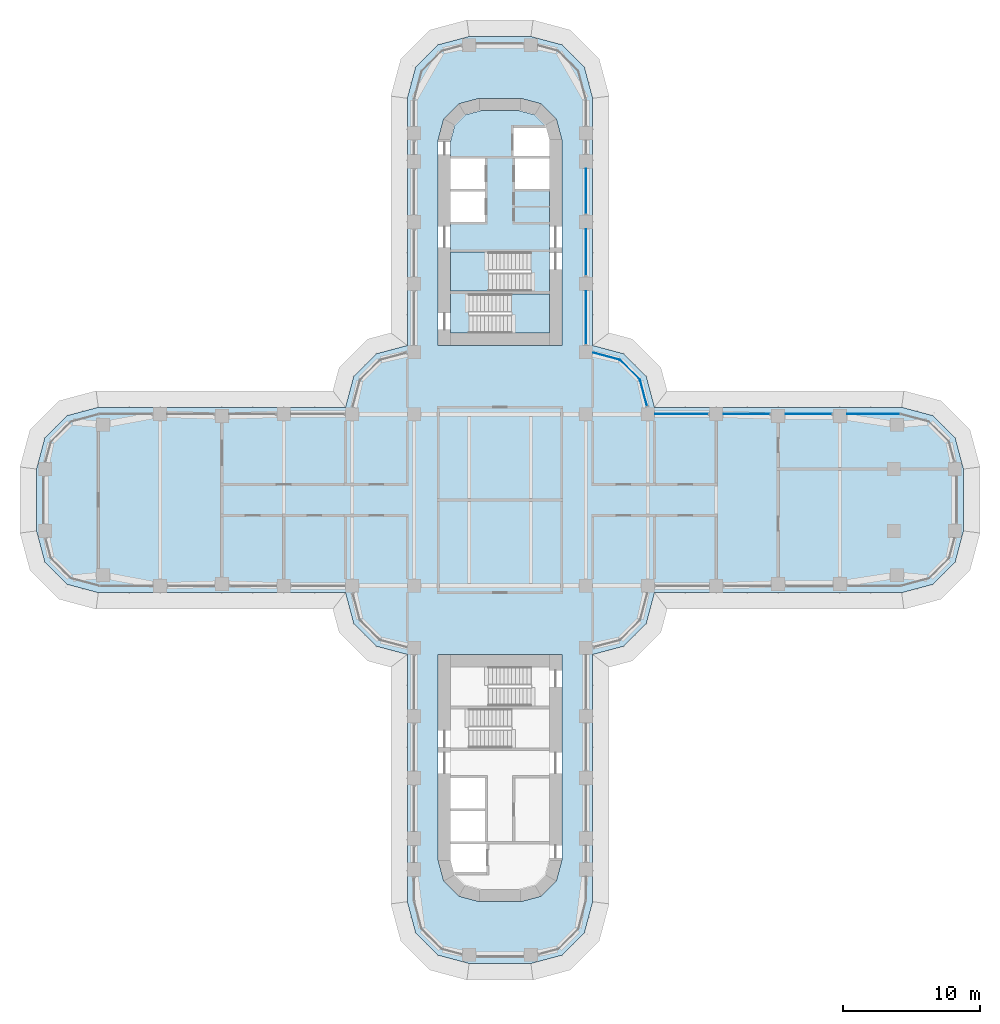
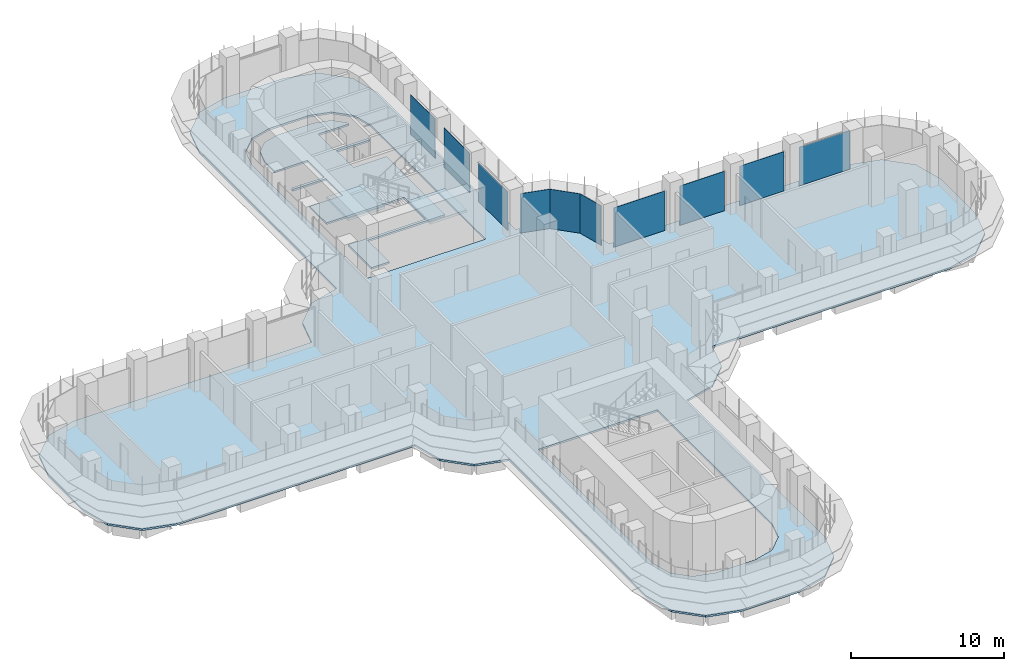
# One storey, part 15 of 23: 10 plates, 4 slabs, 7 elements without a shape of their own.
"""IFC4 building model written with IfcOpenShell, lengths in metres."""

from ifc_helpers import new_model, si_unit, direction, frame, origin, place, context, subcontext, project, spatial, polyline, outline, extrude, source, transform, mapped, material, layer, layer_set, type_object, element, aggregate, save


model = new_model("IFC4")

# Units and contexts
model_context = context("Model", 3, precision=1e-05, world=origin(), true_north=direction((0.0, 1.0)))
body_context = subcontext(model_context, "Body", "Model", "MODEL_VIEW")
ifc_project = project(units=[si_unit("LENGTHUNIT", "METRE"), si_unit("AREAUNIT", "SQUARE_METRE"), si_unit("VOLUMEUNIT", "CUBIC_METRE"), si_unit("PLANEANGLEUNIT", "RADIAN"), si_unit("MASSUNIT", "GRAM", prefix="KILO")], contexts=[model_context])

# Site, building, storey
site_placement = place(None, origin())
site = spatial("IfcSite", under=ifc_project, at=site_placement, CompositionType="ELEMENT")
building_placement = place(site_placement, origin())
building = spatial("IfcBuilding", under=site, at=building_placement, Name="Zarbagh Exchange Tower", CompositionType="ELEMENT")
storey_placement = place(building_placement, frame((0.0, 0.0, 48.0)))
storey = spatial("IfcBuildingStorey", under=building, at=storey_placement, Name="L10", CompositionType="ELEMENT", Elevation=48.0)

# Slabs
ifc_material_1 = material(Name="Concrete C40/50", Category="concrete")
ifc_layer_1 = layer(ifc_material_1, 0.14990234375)
ifc_layer_set_1 = layer_set([ifc_layer_1], Name="Composite floor slab 150 C40/50")
slab_type_1 = type_object("IfcSlabType", Name="Composite floor slab 150 C40/50", PredefinedType="FLOOR", material=ifc_layer_set_1)
slab_1_placement = place(storey_placement, frame((0.0, 0.0, -0.14990234375)))
element("IfcSlab", 1, at=slab_1_placement, inside=storey, type_object=slab_type_1, Name="S5 composite floor slab", PredefinedType="FLOOR", context=body_context, shape_type="SweptSolid", body=[
    extrude(outline(polyline([(-2.25, -33.75), (-4.5, -33.147216796875), (-6.147216796875, -31.5), (-6.75, -29.25), (-6.75, -11.25), (-9.0, -10.647216796875), (-10.647216796875, -9.0), (-11.25, -6.75), (-29.25, -6.75), (-31.5, -6.147216796875), (-33.147216796875, -4.5), (-33.75, -2.25), (-33.75, 2.25), (-33.147216796875, 4.5), (-31.5, 6.147216796875), (-29.25, 6.75), (-11.25, 6.75), (-10.647216796875, 9.0), (-9.0, 10.647216796875), (-6.75, 11.25), (-6.75, 29.25), (-6.147216796875, 31.5), (-4.5, 33.147216796875), (-2.25, 33.75), (2.25, 33.75), (4.5, 33.147216796875), (6.147216796875, 31.5), (6.75, 29.25), (6.75, 11.25), (9.0, 10.647216796875), (10.647216796875, 9.0), (11.25, 6.75), (29.25, 6.75), (31.5, 6.147216796875), (33.147216796875, 4.5), (33.75, 2.25), (33.75, -2.25), (33.147216796875, -4.5), (31.5, -6.147216796875), (29.25, -6.75), (11.25, -6.75), (10.647216796875, -9.0), (9.0, -10.647216796875), (6.75, -11.25), (6.75, -29.25), (6.147216796875, -31.5), (4.5, -33.147216796875), (2.25, -33.75), (-2.25, -33.75)]), holes=[polyline([(4.5, 11.25), (4.5, 26.25), (4.09814453125, 27.75), (3.0, 28.84814453125), (1.5, 29.25), (-1.5, 29.25), (-3.0, 28.84814453125), (-4.09814453125, 27.75), (-4.5, 26.25), (-4.5, 11.25), (4.5, 11.25)]), polyline([(-1.5, -29.25), (1.5, -29.25), (3.0, -28.84814453125), (4.09814453125, -27.75), (4.5, -26.25), (4.5, -11.25), (-4.5, -11.25), (-4.5, -26.25), (-4.09814453125, -27.75), (-3.0, -28.84814453125), (-1.5, -29.25)])]), origin(), (0.0, 0.0, 1.0), 0.14990234375),
])
ifc_layer_2 = layer(ifc_material_1, 0.14990234375)
ifc_layer_set_2 = layer_set([ifc_layer_2], Name="Core floor slab 150 C40/50")
slab_type_2 = type_object("IfcSlabType", Name="Core floor slab 150 C40/50", PredefinedType="FLOOR", material=ifc_layer_set_2)
slab_2_placement = place(storey_placement, frame((0.0, 0.0, -0.14990234375)))
element("IfcSlab", 2, at=slab_2_placement, inside=storey, type_object=slab_type_2, Name="S17 core N", PredefinedType="FLOOR", context=body_context, shape_type="SweptSolid", body=[
    extrude(outline(polyline([(-3.60009765625, 12.14990234375), (-3.60009765625, 15.199951171875), (2.25, 15.199951171875), (2.25, 18.050048828125), (-3.60009765625, 18.050048828125), (-3.60009765625, 20.25), (-1.10009765625, 20.25), (-1.10009765625, 22.449951171875), (-3.60009765625, 22.449951171875), (-3.60009765625, 22.64990234375), (-1.10009765625, 22.64990234375), (-1.10009765625, 24.85009765625), (-3.60009765625, 24.85009765625), (-3.60009765625, 26.131591796875), (-3.291259765625, 27.2841796875), (-2.5341796875, 28.041259765625), (-1.381591796875, 28.35009765625), (1.381591796875, 28.35009765625), (2.5341796875, 28.041259765625), (3.291259765625, 27.2841796875), (3.340576171875, 27.10009765625), (1.0, 27.10009765625), (1.0, 25.050048828125), (3.60009765625, 25.050048828125), (3.60009765625, 24.85009765625), (1.10009765625, 24.85009765625), (1.10009765625, 22.64990234375), (3.60009765625, 22.64990234375), (3.60009765625, 15.0), (-2.25, 15.0), (-2.25, 12.14990234375), (-3.60009765625, 12.14990234375)])), origin(), (0.0, 0.0, 1.0), 0.14990234375),
])

# Stair, slab
stair_type = type_object("IfcStairType", Name="Exit stair two-flight half-turn", PredefinedType="HALF_TURN_STAIR", material=ifc_material_1)
stair_1_placement = place(storey_placement, origin())
stair_1 = element("IfcStair", 3, at=stair_1_placement, inside=storey, type_object=stair_type, Name="exit stair ST1", PredefinedType="HALF_TURN_STAIR")
ifc_layer_3 = layer(ifc_material_1, 0.199951171875)
ifc_layer_set_3 = layer_set([ifc_layer_3], Name="Stair landing 200 mm")
slab_type_3 = type_object("IfcSlabType", Name="Stair landing 200 mm", PredefinedType="LANDING", material=ifc_layer_set_3)
slab_3_placement = place(storey_placement, frame((0.0, 0.0, 1.89990234375)))
slab_3 = element("IfcSlab", 4, at=slab_3_placement, type_object=slab_type_3, Name="ST1 landing 1", PredefinedType="LANDING", context=body_context, shape_type="SweptSolid", body=[
    extrude(outline(polyline([(-0.830078125, 18.050048828125), (-3.60009765625, 18.050048828125), (-3.60009765625, 15.199951171875), (-0.830078125, 15.199951171875), (-0.830078125, 18.050048828125)])), origin(), (0.0, 0.0, 1.0), 0.2001953125),
])
aggregate(stair_1, [slab_3])

stair_2_placement = place(storey_placement, origin())
stair_2 = element("IfcStair", 5, at=stair_2_placement, inside=storey, type_object=stair_type, Name="exit stair ST2", PredefinedType="HALF_TURN_STAIR")
slab_4_placement = place(storey_placement, frame((0.0, 0.0, 1.89990234375)))
slab_4 = element("IfcSlab", 6, at=slab_4_placement, type_object=slab_type_3, Name="ST2 landing 1", PredefinedType="LANDING", context=body_context, shape_type="SweptSolid", body=[
    extrude(outline(polyline([(0.830078125, 12.14990234375), (3.60009765625, 12.14990234375), (3.60009765625, 15.0), (0.830078125, 15.0), (0.830078125, 12.14990234375)])), origin(), (0.0, 0.0, 1.0), 0.2001953125),
])
aggregate(stair_2, [slab_4])

# Curtain wall, plate
ifc_material_2 = material(Name="Anodised aluminium frame and glazing", Category="aluminium")
curtain_wall_type = type_object("IfcCurtainWallType", Name="CWA Ribbon glazing, lower zones", PredefinedType="NOTDEFINED", material=ifc_material_2)
curtain_wall_1_placement = place(storey_placement, origin())
curtain_wall_1 = element("IfcCurtainWall", 7, at=curtain_wall_1_placement, inside=storey, type_object=curtain_wall_type, Name="CWA18 curtain wall", PredefinedType="NOTDEFINED")
ifc_material_3 = material(Name="Low-e double glazed unit, 6+12+6 mm")
ifc_layer_4 = layer(ifc_material_3, 0.028076171875)
ifc_layer_set_4 = layer_set([ifc_layer_4], Name="PAA Glazing panel, Low-e double glazed unit, 6+12+6 mm")
plate_type = type_object("IfcPlateType", Name="PAA Glazing panel, Low-e double glazed unit, 6+12+6 mm", PredefinedType="CURTAIN_PANEL", material=ifc_layer_set_4)
shared_shape_1 = source(origin(), body_context, "Body", "SweptSolid", [
    extrude(outline(polyline([(0.0, -0.013916015625), (2.061279296875, -0.013916015625), (2.061279296875, 0.013916015625), (0.0, 0.013916015625), (0.0, -0.013916015625)])), origin(), (0.0, 0.0, 1.0), 3.14990234375),
])
placement = place(storey_placement, origin())
plate_1 = element("IfcPlate", 8, at=placement, type_object=plate_type, Name="CWA18 glazing panel 1.1", PredefinedType="CURTAIN_PANEL", context=body_context, shape_type="MappedRepresentation", body=[
    mapped(shared_shape_1, transform((10.19873046875, 8.7412109375, 0.0), x_axis=(-0.707106781187, 0.707106781187, 0.0), y_axis=(-0.707106781187, -0.707106781187, 0.0), z_axis=(0.0, 0.0, 1.0))),
])
aggregate(curtain_wall_1, [plate_1])

curtain_wall_2_placement = place(storey_placement, origin())
curtain_wall_2 = element("IfcCurtainWall", 9, at=curtain_wall_2_placement, inside=storey, type_object=curtain_wall_type, Name="CWA20 curtain wall", PredefinedType="NOTDEFINED")
shared_shape_2 = source(origin(), body_context, "Body", "SweptSolid", [
    extrude(outline(polyline([(0.0, -0.013916015625), (3.260009765625, -0.013916015625), (3.260009765625, 0.013916015625), (0.0, 0.013916015625), (0.0, -0.013916015625)])), origin(), (0.0, 0.0, 1.0), 3.14990234375),
])
plate_2 = element("IfcPlate", 10, at=placement, type_object=plate_type, Name="CWA20 glazing panel 3.1", PredefinedType="CURTAIN_PANEL", context=body_context, shape_type="MappedRepresentation", body=[
    mapped(shared_shape_2, transform((6.25, 20.85009765625, 0.0), x_axis=(0.0, 1.0, 0.0), y_axis=(-1.0, 0.0, 0.0), z_axis=(0.0, 0.0, 1.0))),
])

# Curtain wall, plates
curtain_wall_3_placement = place(storey_placement, origin())
curtain_wall_3 = element("IfcCurtainWall", 11, at=curtain_wall_3_placement, inside=storey, type_object=curtain_wall_type, Name="CWA16 curtain wall", PredefinedType="NOTDEFINED")
shared_shape_3 = source(origin(), body_context, "Body", "SweptSolid", [
    extrude(outline(polyline([(0.0, -0.013916015625), (3.360107421875, -0.013916015625), (3.360107421875, 0.013916015625), (0.0, 0.013916015625), (0.0, -0.013916015625)])), origin(), (0.0, 0.0, 1.0), 3.14990234375),
])
plate_3 = element("IfcPlate", 12, at=placement, type_object=plate_type, Name="CWA16 glazing panel 2.1", PredefinedType="CURTAIN_PANEL", context=body_context, shape_type="MappedRepresentation", body=[
    mapped(shared_shape_3, transform((24.14990234375, 6.25, 0.0), x_axis=(-1.0, 0.0, 0.0), y_axis=(0.0, -1.0, 0.0), z_axis=(0.0, 0.0, 1.0))),
])
plate_4 = element("IfcPlate", 13, at=placement, type_object=plate_type, Name="CWA16 glazing panel 3.1", PredefinedType="CURTAIN_PANEL", context=body_context, shape_type="MappedRepresentation", body=[
    mapped(shared_shape_3, transform((19.64990234375, 6.25, 0.0), x_axis=(-1.0, 0.0, 0.0), y_axis=(0.0, -1.0, 0.0), z_axis=(0.0, 0.0, 1.0))),
])

# Plate
plate_5 = element("IfcPlate", 14, at=placement, type_object=plate_type, Name="CWA20 glazing panel 2.1", PredefinedType="CURTAIN_PANEL", context=body_context, shape_type="MappedRepresentation", body=[
    mapped(shared_shape_3, transform((6.25, 16.35009765625, 0.0), x_axis=(0.0, 1.0, 0.0), y_axis=(-1.0, 0.0, 0.0), z_axis=(0.0, 0.0, 1.0))),
])

# Curtain wall, plate
curtain_wall_4_placement = place(storey_placement, origin())
curtain_wall_4 = element("IfcCurtainWall", 15, at=curtain_wall_4_placement, inside=storey, type_object=curtain_wall_type, Name="CWA17 curtain wall", PredefinedType="NOTDEFINED")
shared_shape_4 = source(origin(), body_context, "Body", "SweptSolid", [
    extrude(outline(polyline([(0.0, -0.013916015625), (1.9599609375, -0.013916015625), (1.9599609375, 0.013916015625), (0.0, 0.013916015625), (0.0, -0.013916015625)])), origin(), (0.0, 0.0, 1.0), 3.14990234375),
])
plate_6 = element("IfcPlate", 16, at=placement, type_object=plate_type, Name="CWA17 glazing panel 1.1", PredefinedType="CURTAIN_PANEL", context=body_context, shape_type="MappedRepresentation", body=[
    mapped(shared_shape_4, transform((10.7060546875, 6.847900390625, 0.0), x_axis=(-0.258824779902, 0.965924289636, 0.0), y_axis=(-0.965924289636, -0.258824779902, 0.0), z_axis=(0.0, 0.0, 1.0))),
])
aggregate(curtain_wall_4, [plate_6])

curtain_wall_5_placement = place(storey_placement, origin())
curtain_wall_5 = element("IfcCurtainWall", 17, at=curtain_wall_5_placement, inside=storey, type_object=curtain_wall_type, Name="CWA19 curtain wall", PredefinedType="NOTDEFINED")
shared_shape_5 = source(origin(), body_context, "Body", "SweptSolid", [
    extrude(outline(polyline([(0.0, -0.013916015625), (2.02001953125, -0.013916015625), (2.02001953125, 0.013916015625), (0.0, 0.013916015625), (0.0, -0.013916015625)])), origin(), (0.0, 0.0, 1.0), 3.14990234375),
])
plate_7 = element("IfcPlate", 18, at=placement, type_object=plate_type, Name="CWA19 glazing panel 1.1", PredefinedType="CURTAIN_PANEL", context=body_context, shape_type="MappedRepresentation", body=[
    mapped(shared_shape_5, transform((8.7412109375, 10.19873046875, 0.0), x_axis=(-0.965924289636, 0.258824779902, 0.0), y_axis=(-0.258824779902, -0.965924289636, 0.0), z_axis=(0.0, 0.0, 1.0))),
])
aggregate(curtain_wall_5, [plate_7])

# Plate
shared_shape_6 = source(origin(), body_context, "Body", "SweptSolid", [
    extrude(outline(polyline([(0.0, -0.013916015625), (3.860107421875, -0.013916015625), (3.860107421875, 0.013916015625), (0.0, 0.013916015625), (0.0, -0.013916015625)])), origin(), (0.0, 0.0, 1.0), 3.090087890625),
])
plate_8 = element("IfcPlate", 19, at=placement, type_object=plate_type, Name="CWA20 glazing panel 1.1", PredefinedType="CURTAIN_PANEL", context=body_context, shape_type="MappedRepresentation", body=[
    mapped(shared_shape_6, transform((6.25, 11.35009765625, 0.0), x_axis=(0.0, 1.0, 0.0), y_axis=(-1.0, 0.0, 0.0), z_axis=(0.0, 0.0, 1.0))),
])

aggregate(curtain_wall_2, [plate_8, plate_5, plate_2])

shared_shape_7 = source(origin(), body_context, "Body", "SweptSolid", [
    extrude(outline(polyline([(0.0, -0.013916015625), (3.834228515625, -0.013916015625), (3.834228515625, 0.013916015625), (0.0, 0.013916015625), (0.0, -0.013916015625)])), origin(), (0.0, 0.0, 1.0), 3.090087890625),
])
plate_9 = element("IfcPlate", 20, at=placement, type_object=plate_type, Name="CWA16 glazing panel 1.1", PredefinedType="CURTAIN_PANEL", context=body_context, shape_type="MappedRepresentation", body=[
    mapped(shared_shape_7, transform((29.124267578125, 6.25, 0.0), x_axis=(-1.0, 0.0, 0.0), y_axis=(0.0, -1.0, 0.0), z_axis=(0.0, 0.0, 1.0))),
])

shared_shape_8 = source(origin(), body_context, "Body", "SweptSolid", [
    extrude(outline(polyline([(0.0, -0.013916015625), (3.860107421875, -0.013916015625), (3.860107421875, 0.013916015625), (0.0, 0.013916015625), (0.0, -0.013916015625)])), origin(), (0.0, 0.0, 1.0), 3.14990234375),
])
plate_10 = element("IfcPlate", 21, at=placement, type_object=plate_type, Name="CWA16 glazing panel 4.1", PredefinedType="CURTAIN_PANEL", context=body_context, shape_type="MappedRepresentation", body=[
    mapped(shared_shape_8, transform((15.14990234375, 6.25, 0.0), x_axis=(-1.0, 0.0, 0.0), y_axis=(0.0, -1.0, 0.0), z_axis=(0.0, 0.0, 1.0))),
])

aggregate(curtain_wall_3, [plate_9, plate_3, plate_4, plate_10])

save(model, "model.ifc")
